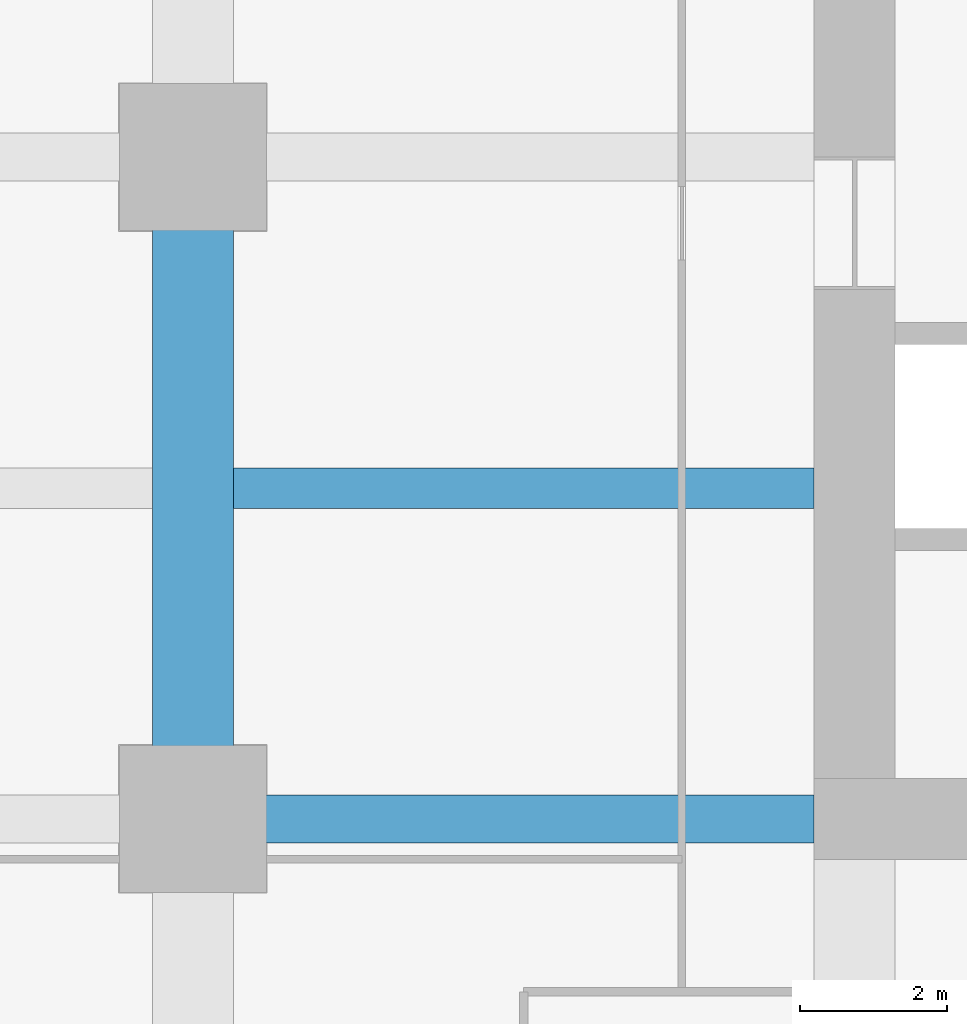
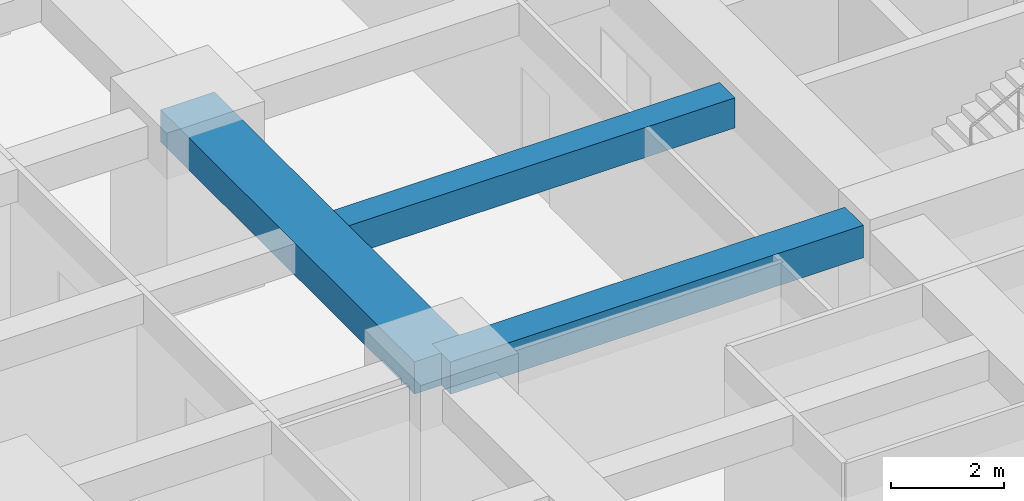
# One storey, part 10 of 41: 3 beams.
"""IFC4 building model written with IfcOpenShell, lengths in metres."""

from ifc_helpers import new_model, si_unit, direction, frame, origin, origin_2d, place, context, subcontext, project, spatial, rectangle, extrude, material, material_profile, profile_set, type_object, element, save


model = new_model("IFC4")

# Units and contexts
model_context = context("Model", 3, precision=1e-05, world=origin(), true_north=direction((0.0, 1.0)))
body_context = subcontext(model_context, "Body", "Model", "MODEL_VIEW")
ifc_project = project(units=[si_unit("LENGTHUNIT", "METRE"), si_unit("AREAUNIT", "SQUARE_METRE"), si_unit("VOLUMEUNIT", "CUBIC_METRE"), si_unit("PLANEANGLEUNIT", "RADIAN"), si_unit("MASSUNIT", "GRAM", prefix="KILO")], contexts=[model_context])

# Site, building, storey
site_placement = place(None, origin())
site = spatial("IfcSite", under=ifc_project, at=site_placement, CompositionType="ELEMENT")
building_placement = place(site_placement, origin())
building = spatial("IfcBuilding", under=site, at=building_placement, Name="Zorevar Civic Tower", CompositionType="ELEMENT")
storey_placement = place(building_placement, frame((0.0, 0.0, 113.0)))
storey = spatial("IfcBuildingStorey", under=building, at=storey_placement, Name="L27", CompositionType="ELEMENT", Elevation=113.0)

# Beams
ifc_material_1 = material(Name="Concrete C50/60", Category="concrete")
ifc_material_profile_1 = material_profile(ifc_material_1, rectangle(XDim=1.10009765625, YDim=0.699951171875, at=origin_2d()), Name="RC 1100x700")
ifc_profile_set_1 = profile_set([ifc_material_profile_1], Name="Concrete C50/60")
beam_type_1 = type_object("IfcBeamType", Name="Beam RC 1100x700", PredefinedType="BEAM", material=ifc_profile_set_1)
beam_1_placement = place(storey_placement, frame((9.0, 18.0, 3.39990234375), z_axis=(0.0, 1.0, 0.0), x_axis=(-1.0, 0.0, 0.0)))
element("IfcBeam", 1, at=beam_1_placement, inside=storey, type_object=beam_type_1, Name="Girder L28", PredefinedType="BEAM", context=body_context, shape_type="SweptSolid", body=[
    extrude(rectangle(XDim=1.10009765625, YDim=0.699951171875, at=origin_2d()), origin(), (0.0, 0.0, 1.0), 9.0),
])
ifc_material_2 = material(Name="Concrete C50/60", Category="concrete")
ifc_material_profile_2 = material_profile(ifc_material_2, rectangle(XDim=0.550048828125, YDim=0.64990234375, at=origin_2d()), Name="RC 550x650")
ifc_profile_set_2 = profile_set([ifc_material_profile_2], Name="Concrete C50/60")
beam_type_2 = type_object("IfcBeamType", Name="Beam RC 550x650", PredefinedType="BEAM", material=ifc_profile_set_2)
beam_2_placement = place(storey_placement, frame((9.550048828125, 22.5, 3.425048828125), z_axis=(1.0, 0.0, 0.0), x_axis=(0.0, 1.0, 0.0)))
element("IfcBeam", 2, at=beam_2_placement, inside=storey, type_object=beam_type_2, Name="Secondary beam L28", PredefinedType="BEAM", context=body_context, shape_type="SweptSolid", body=[
    extrude(rectangle(XDim=0.550048828125, YDim=0.64990234375, at=origin_2d()), origin(), (0.0, 0.0, 1.0), 7.89990234375),
])
ifc_material_3 = material(Name="Concrete C50/60", Category="concrete")
ifc_material_profile_3 = material_profile(ifc_material_3, rectangle(XDim=0.64990234375, YDim=0.699951171875, at=origin_2d()), Name="RC 650x700")
ifc_profile_set_3 = profile_set([ifc_material_profile_3], Name="Concrete C50/60")
beam_type_3 = type_object("IfcBeamType", Name="Beam RC 650x700", PredefinedType="BEAM", material=ifc_profile_set_3)
beam_3_placement = place(storey_placement, frame((9.0, 18.0, 3.39990234375), z_axis=(1.0, 0.0, 0.0), x_axis=(0.0, 1.0, 0.0)))
element("IfcBeam", 3, at=beam_3_placement, inside=storey, type_object=beam_type_3, Name="Girder L28", PredefinedType="BEAM", context=body_context, shape_type="SweptSolid", body=[
    extrude(rectangle(XDim=0.64990234375, YDim=0.699951171875, at=origin_2d()), origin(), (0.0, 0.0, 1.0), 8.449951171875),
])

save(model, "model.ifc")
